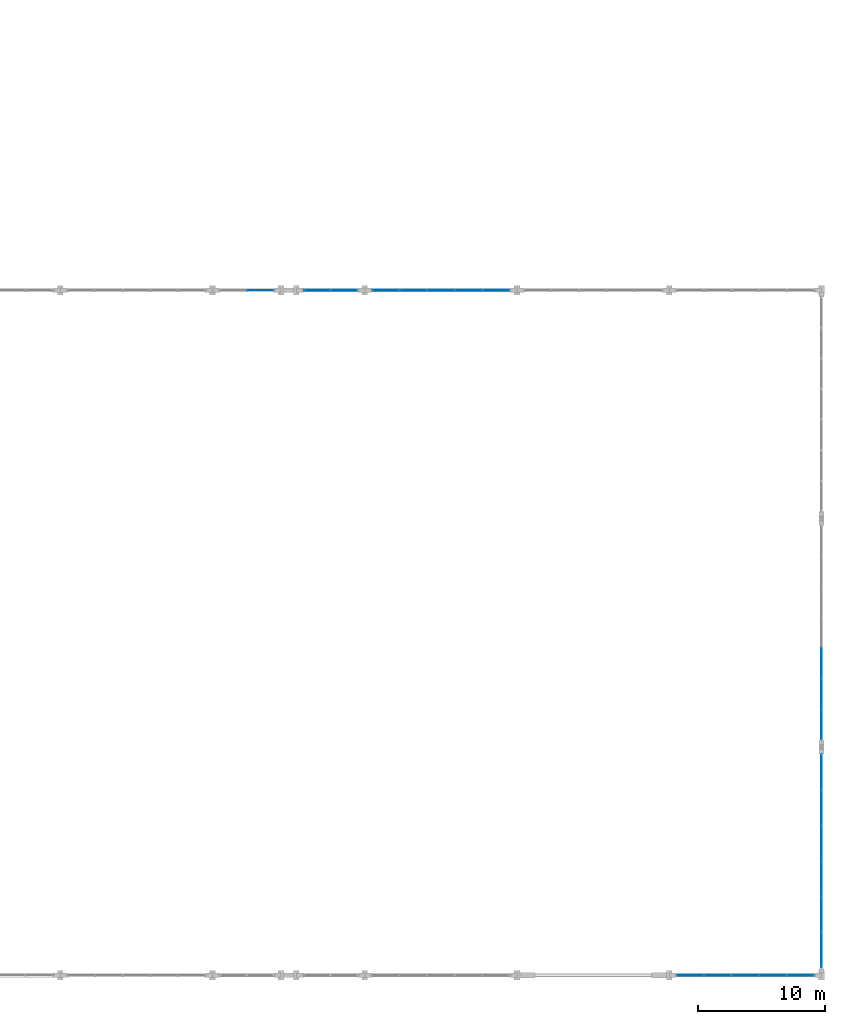
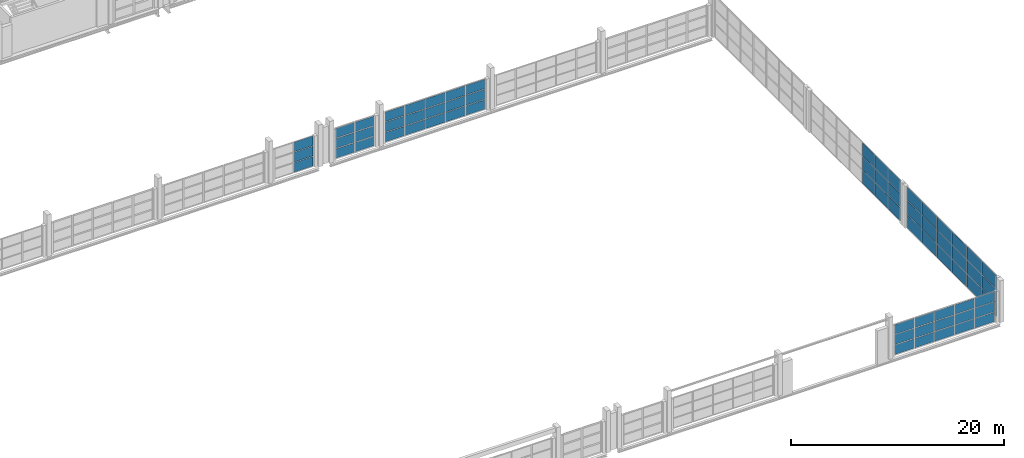
# One storey, part 125 of 147: 66 plates, 6 elements without a shape of their own.
"""IFC4 building model written with IfcOpenShell, lengths in metres."""

from ifc_helpers import new_model, si_unit, direction, frame, origin, origin_2d, place, context, subcontext, project, spatial, rectangle, extrude, material, layer, layer_set, type_object, element, aggregate, save


model = new_model("IFC4")

# Units and contexts
model_context = context("Model", 3, precision=1e-05, world=origin(), true_north=direction((0.0, 1.0)))
body_context = subcontext(model_context, "Body", "Model", "MODEL_VIEW")
ifc_project = project(units=[si_unit("LENGTHUNIT", "METRE"), si_unit("AREAUNIT", "SQUARE_METRE"), si_unit("VOLUMEUNIT", "CUBIC_METRE"), si_unit("PLANEANGLEUNIT", "RADIAN"), si_unit("MASSUNIT", "GRAM", prefix="KILO")], contexts=[model_context])

# Site, building, storey
site_placement = place(None, origin())
site = spatial("IfcSite", under=ifc_project, at=site_placement, CompositionType="ELEMENT")
building_placement = place(site_placement, origin())
building = spatial("IfcBuilding", under=site, at=building_placement, Name="Zilviju Railside Exhibition Hall", CompositionType="ELEMENT")
storey_placement = place(building_placement, frame((0.0, 0.0, 8.39990234375)))
storey = spatial("IfcBuildingStorey", under=building, at=storey_placement, Name="L03", CompositionType="ELEMENT", Elevation=8.39990234375)

# Curtain wall, plates
ifc_material_1 = material(Name="Thermally broken aluminium-steel triple-glazed curtain wall", Category="steel")
ifc_layer_1 = layer(ifc_material_1, 0.179931640625)
ifc_layer_set_1 = layer_set([ifc_layer_1], Name="Thermally broken aluminium-steel triple-glazed curtain wall")
curtain_wall_type_1 = type_object("IfcCurtainWallType", Name="CW-BAY-11", PredefinedType="USERDEFINED", material=ifc_layer_set_1)
curtain_wall_1_placement = place(storey_placement, origin())
curtain_wall_1 = element("IfcCurtainWall", 1, at=curtain_wall_1_placement, inside=storey, type_object=curtain_wall_type_1, Name="South Hall Garden Court Curtain Wall L03 (168..173)", ObjectType="GLAZED CURTAIN WALL", PredefinedType="USERDEFINED")
ifc_material_2 = material(Name="Laminated acoustic double-glazed porch unit", Category="glass")
ifc_layer_2 = layer(ifc_material_2, 0.031982421875)
ifc_layer_set_2 = layer_set([ifc_layer_2], Name="Laminated acoustic double-glazed porch unit")
plate_type_1 = type_object("IfcPlateType", Name="CWP-IGU-32", PredefinedType="CURTAIN_PANEL", material=ifc_layer_set_2)
plate_1_placement = place(storey_placement, frame((171.760009765625, 54.0, 0.06005859375), z_axis=(0.0, 0.0, 1.0), x_axis=(1.0, 0.0, 0.0)))
plate_1 = element("IfcPlate", 2, at=plate_1_placement, type_object=plate_type_1, Name="CW-11 panel 2.1", PredefinedType="CURTAIN_PANEL", context=body_context, shape_type="SweptSolid", body=[
    extrude(rectangle(XDim=2.06005859375, YDim=0.031982421875, at=origin_2d()), origin(), (0.0, 0.0, 1.0), 1.096923828125),
])
plate_2_placement = place(storey_placement, frame((171.760009765625, 54.0, 1.217041015625), z_axis=(0.0, 0.0, 1.0), x_axis=(1.0, 0.0, 0.0)))
plate_2 = element("IfcPlate", 3, at=plate_2_placement, type_object=plate_type_1, Name="CW-11 panel 2.2", PredefinedType="CURTAIN_PANEL", context=body_context, shape_type="SweptSolid", body=[
    extrude(rectangle(XDim=2.06005859375, YDim=0.031982421875, at=origin_2d()), origin(), (0.0, 0.0, 1.0), 1.1259765625),
])
plate_3_placement = place(storey_placement, frame((171.760009765625, 54.0, 2.4033203125), z_axis=(0.0, 0.0, 1.0), x_axis=(1.0, 0.0, 0.0)))
plate_3 = element("IfcPlate", 4, at=plate_3_placement, type_object=plate_type_1, Name="CW-11 panel 2.3", PredefinedType="CURTAIN_PANEL", context=body_context, shape_type="SweptSolid", body=[
    extrude(rectangle(XDim=2.06005859375, YDim=0.031982421875, at=origin_2d()), origin(), (0.0, 0.0, 1.0), 1.096923828125),
])
aggregate(curtain_wall_1, [plate_1, plate_2, plate_3])

ifc_layer_3 = layer(ifc_material_1, 0.179931640625)
ifc_layer_set_3 = layer_set([ifc_layer_3], Name="Thermally broken aluminium-steel triple-glazed curtain wall")
curtain_wall_type_2 = type_object("IfcCurtainWallType", Name="CW-BAY-17", PredefinedType="USERDEFINED", material=ifc_layer_set_3)
curtain_wall_2_placement = place(storey_placement, origin())
curtain_wall_2 = element("IfcCurtainWall", 5, at=curtain_wall_2_placement, inside=storey, type_object=curtain_wall_type_2, Name="South Hall East Glazed Gable L03 (18..36)", ObjectType="GLAZED CURTAIN WALL", PredefinedType="USERDEFINED")
plate_4_placement = place(storey_placement, frame((216.0, 24.585693359375, 0.06005859375), z_axis=(0.0, 0.0, 1.0), x_axis=(0.0, -1.0, 0.0)))
plate_4 = element("IfcPlate", 6, at=plate_4_placement, type_object=plate_type_1, Name="CW-17 panel 5.1", PredefinedType="CURTAIN_PANEL", context=body_context, shape_type="SweptSolid", body=[
    extrude(rectangle(XDim=2.354248046875, YDim=0.031982421875, at=origin_2d()), origin(), (0.0, 0.0, 1.0), 1.510009765625),
])
plate_5_placement = place(storey_placement, frame((216.0, 24.585693359375, 1.630126953125), z_axis=(0.0, 0.0, 1.0), x_axis=(0.0, -1.0, 0.0)))
plate_5 = element("IfcPlate", 7, at=plate_5_placement, type_object=plate_type_1, Name="CW-17 panel 5.2", PredefinedType="CURTAIN_PANEL", context=body_context, shape_type="SweptSolid", body=[
    extrude(rectangle(XDim=2.354248046875, YDim=0.031982421875, at=origin_2d()), origin(), (0.0, 0.0, 1.0), 1.5400390625),
])
plate_6_placement = place(storey_placement, frame((216.0, 24.585693359375, 3.22998046875), z_axis=(0.0, 0.0, 1.0), x_axis=(0.0, -1.0, 0.0)))
plate_6 = element("IfcPlate", 8, at=plate_6_placement, type_object=plate_type_1, Name="CW-17 panel 5.3", PredefinedType="CURTAIN_PANEL", context=body_context, shape_type="SweptSolid", body=[
    extrude(rectangle(XDim=2.354248046875, YDim=0.031982421875, at=origin_2d()), origin(), (0.0, 0.0, 1.0), 1.510009765625),
])
plate_7_placement = place(storey_placement, frame((216.0, 22.17138671875, 0.06005859375), z_axis=(0.0, 0.0, 1.0), x_axis=(0.0, -1.0, 0.0)))
plate_7 = element("IfcPlate", 9, at=plate_7_placement, type_object=plate_type_1, Name="CW-17 panel 6.1", PredefinedType="CURTAIN_PANEL", context=body_context, shape_type="SweptSolid", body=[
    extrude(rectangle(XDim=2.354248046875, YDim=0.031982421875, at=origin_2d()), origin(), (0.0, 0.0, 1.0), 1.510009765625),
])
plate_8_placement = place(storey_placement, frame((216.0, 22.17138671875, 1.630126953125), z_axis=(0.0, 0.0, 1.0), x_axis=(0.0, -1.0, 0.0)))
plate_8 = element("IfcPlate", 10, at=plate_8_placement, type_object=plate_type_1, Name="CW-17 panel 6.2", PredefinedType="CURTAIN_PANEL", context=body_context, shape_type="SweptSolid", body=[
    extrude(rectangle(XDim=2.354248046875, YDim=0.031982421875, at=origin_2d()), origin(), (0.0, 0.0, 1.0), 1.5400390625),
])
plate_9_placement = place(storey_placement, frame((216.0, 22.17138671875, 3.22998046875), z_axis=(0.0, 0.0, 1.0), x_axis=(0.0, -1.0, 0.0)))
plate_9 = element("IfcPlate", 11, at=plate_9_placement, type_object=plate_type_1, Name="CW-17 panel 6.3", PredefinedType="CURTAIN_PANEL", context=body_context, shape_type="SweptSolid", body=[
    extrude(rectangle(XDim=2.354248046875, YDim=0.031982421875, at=origin_2d()), origin(), (0.0, 0.0, 1.0), 1.510009765625),
])
plate_10_placement = place(storey_placement, frame((216.0, 19.772216796875, 0.06005859375), z_axis=(0.0, 0.0, 1.0), x_axis=(0.0, -1.0, 0.0)))
plate_10 = element("IfcPlate", 12, at=plate_10_placement, type_object=plate_type_1, Name="CW-17 panel 7.1", PredefinedType="CURTAIN_PANEL", context=body_context, shape_type="SweptSolid", body=[
    extrude(rectangle(XDim=2.32421875, YDim=0.031982421875, at=origin_2d()), origin(), (0.0, 0.0, 1.0), 1.510009765625),
])
plate_11_placement = place(storey_placement, frame((216.0, 19.772216796875, 1.630126953125), z_axis=(0.0, 0.0, 1.0), x_axis=(0.0, -1.0, 0.0)))
plate_11 = element("IfcPlate", 13, at=plate_11_placement, type_object=plate_type_1, Name="CW-17 panel 7.2", PredefinedType="CURTAIN_PANEL", context=body_context, shape_type="SweptSolid", body=[
    extrude(rectangle(XDim=2.32421875, YDim=0.031982421875, at=origin_2d()), origin(), (0.0, 0.0, 1.0), 1.5400390625),
])
plate_12_placement = place(storey_placement, frame((216.0, 19.772216796875, 3.22998046875), z_axis=(0.0, 0.0, 1.0), x_axis=(0.0, -1.0, 0.0)))
plate_12 = element("IfcPlate", 14, at=plate_12_placement, type_object=plate_type_1, Name="CW-17 panel 7.3", PredefinedType="CURTAIN_PANEL", context=body_context, shape_type="SweptSolid", body=[
    extrude(rectangle(XDim=2.32421875, YDim=0.031982421875, at=origin_2d()), origin(), (0.0, 0.0, 1.0), 1.510009765625),
])
aggregate(curtain_wall_2, [plate_4, plate_5, plate_6, plate_7, plate_8, plate_9, plate_10, plate_11, plate_12])

ifc_layer_4 = layer(ifc_material_1, 0.179931640625)
ifc_layer_set_4 = layer_set([ifc_layer_4], Name="Thermally broken aluminium-steel triple-glazed curtain wall")
curtain_wall_type_3 = type_object("IfcCurtainWallType", Name="CW-BAY-16", PredefinedType="USERDEFINED", material=ifc_layer_set_4)
curtain_wall_3_placement = place(storey_placement, origin())
curtain_wall_3 = element("IfcCurtainWall", 15, at=curtain_wall_3_placement, inside=storey, type_object=curtain_wall_type_3, Name="South Hall East Glazed Gable L03 (0..18)", ObjectType="GLAZED CURTAIN WALL", PredefinedType="USERDEFINED")
ifc_material_3 = material(Name="Triple-glazed solar-control glass unit", Category="glass")
ifc_layer_5 = layer(ifc_material_3, 0.0380859375)
ifc_layer_set_5 = layer_set([ifc_layer_5], Name="Triple-glazed solar-control glass unit")
plate_type_2 = type_object("IfcPlateType", Name="CWP-IGU-38", PredefinedType="CURTAIN_PANEL", material=ifc_layer_set_5)
plate_13_placement = place(storey_placement, frame((216.0, 16.025390625, 0.065185546875), z_axis=(0.0, 0.0, 1.0), x_axis=(0.0, -1.0, 0.0)))
plate_13 = element("IfcPlate", 16, at=plate_13_placement, type_object=plate_type_2, Name="CW-16 panel 1.1", PredefinedType="CURTAIN_PANEL", context=body_context, shape_type="SweptSolid", body=[
    extrude(rectangle(XDim=2.71923828125, YDim=0.0380859375, at=origin_2d()), origin(), (0.0, 0.0, 1.0), 1.50244140625),
])
plate_14_placement = place(storey_placement, frame((216.0, 16.025390625, 1.6328125), z_axis=(0.0, 0.0, 1.0), x_axis=(0.0, -1.0, 0.0)))
plate_14 = element("IfcPlate", 17, at=plate_14_placement, type_object=plate_type_2, Name="CW-16 panel 1.2", PredefinedType="CURTAIN_PANEL", context=body_context, shape_type="SweptSolid", body=[
    extrude(rectangle(XDim=2.71923828125, YDim=0.0380859375, at=origin_2d()), origin(), (0.0, 0.0, 1.0), 1.534912109375),
])
plate_15_placement = place(storey_placement, frame((216.0, 16.025390625, 3.232666015625), z_axis=(0.0, 0.0, 1.0), x_axis=(0.0, -1.0, 0.0)))
plate_15 = element("IfcPlate", 18, at=plate_15_placement, type_object=plate_type_2, Name="CW-16 panel 1.3", PredefinedType="CURTAIN_PANEL", context=body_context, shape_type="SweptSolid", body=[
    extrude(rectangle(XDim=2.71923828125, YDim=0.0380859375, at=origin_2d()), origin(), (0.0, 0.0, 1.0), 1.50244140625),
])
plate_16_placement = place(storey_placement, frame((216.0, 13.22509765625, 0.065185546875), z_axis=(0.0, 0.0, 1.0), x_axis=(0.0, -1.0, 0.0)))
plate_16 = element("IfcPlate", 19, at=plate_16_placement, type_object=plate_type_2, Name="CW-16 panel 2.1", PredefinedType="CURTAIN_PANEL", context=body_context, shape_type="SweptSolid", body=[
    extrude(rectangle(XDim=2.751708984375, YDim=0.0380859375, at=origin_2d()), origin(), (0.0, 0.0, 1.0), 1.50244140625),
])
plate_17_placement = place(storey_placement, frame((216.0, 13.22509765625, 1.6328125), z_axis=(0.0, 0.0, 1.0), x_axis=(0.0, -1.0, 0.0)))
plate_17 = element("IfcPlate", 20, at=plate_17_placement, type_object=plate_type_2, Name="CW-16 panel 2.2", PredefinedType="CURTAIN_PANEL", context=body_context, shape_type="SweptSolid", body=[
    extrude(rectangle(XDim=2.751708984375, YDim=0.0380859375, at=origin_2d()), origin(), (0.0, 0.0, 1.0), 1.534912109375),
])
plate_18_placement = place(storey_placement, frame((216.0, 13.22509765625, 3.232666015625), z_axis=(0.0, 0.0, 1.0), x_axis=(0.0, -1.0, 0.0)))
plate_18 = element("IfcPlate", 21, at=plate_18_placement, type_object=plate_type_2, Name="CW-16 panel 2.3", PredefinedType="CURTAIN_PANEL", context=body_context, shape_type="SweptSolid", body=[
    extrude(rectangle(XDim=2.751708984375, YDim=0.0380859375, at=origin_2d()), origin(), (0.0, 0.0, 1.0), 1.50244140625),
])
plate_19_placement = place(storey_placement, frame((216.0, 10.408447265625, 0.065185546875), z_axis=(0.0, 0.0, 1.0), x_axis=(0.0, -1.0, 0.0)))
plate_19 = element("IfcPlate", 22, at=plate_19_placement, type_object=plate_type_2, Name="CW-16 panel 3.1", PredefinedType="CURTAIN_PANEL", context=body_context, shape_type="SweptSolid", body=[
    extrude(rectangle(XDim=2.751708984375, YDim=0.0380859375, at=origin_2d()), origin(), (0.0, 0.0, 1.0), 1.50244140625),
])
plate_20_placement = place(storey_placement, frame((216.0, 10.408447265625, 1.6328125), z_axis=(0.0, 0.0, 1.0), x_axis=(0.0, -1.0, 0.0)))
plate_20 = element("IfcPlate", 23, at=plate_20_placement, type_object=plate_type_2, Name="CW-16 panel 3.2", PredefinedType="CURTAIN_PANEL", context=body_context, shape_type="SweptSolid", body=[
    extrude(rectangle(XDim=2.751708984375, YDim=0.0380859375, at=origin_2d()), origin(), (0.0, 0.0, 1.0), 1.534912109375),
])
plate_21_placement = place(storey_placement, frame((216.0, 10.408447265625, 3.232666015625), z_axis=(0.0, 0.0, 1.0), x_axis=(0.0, -1.0, 0.0)))
plate_21 = element("IfcPlate", 24, at=plate_21_placement, type_object=plate_type_2, Name="CW-16 panel 3.3", PredefinedType="CURTAIN_PANEL", context=body_context, shape_type="SweptSolid", body=[
    extrude(rectangle(XDim=2.751708984375, YDim=0.0380859375, at=origin_2d()), origin(), (0.0, 0.0, 1.0), 1.50244140625),
])
plate_22_placement = place(storey_placement, frame((216.0, 7.591552734375, 0.065185546875), z_axis=(0.0, 0.0, 1.0), x_axis=(0.0, -1.0, 0.0)))
plate_22 = element("IfcPlate", 25, at=plate_22_placement, type_object=plate_type_2, Name="CW-16 panel 4.1", PredefinedType="CURTAIN_PANEL", context=body_context, shape_type="SweptSolid", body=[
    extrude(rectangle(XDim=2.751708984375, YDim=0.0380859375, at=origin_2d()), origin(), (0.0, 0.0, 1.0), 1.50244140625),
])
plate_23_placement = place(storey_placement, frame((216.0, 7.591552734375, 1.6328125), z_axis=(0.0, 0.0, 1.0), x_axis=(0.0, -1.0, 0.0)))
plate_23 = element("IfcPlate", 26, at=plate_23_placement, type_object=plate_type_2, Name="CW-16 panel 4.2", PredefinedType="CURTAIN_PANEL", context=body_context, shape_type="SweptSolid", body=[
    extrude(rectangle(XDim=2.751708984375, YDim=0.0380859375, at=origin_2d()), origin(), (0.0, 0.0, 1.0), 1.534912109375),
])
plate_24_placement = place(storey_placement, frame((216.0, 7.591552734375, 3.232666015625), z_axis=(0.0, 0.0, 1.0), x_axis=(0.0, -1.0, 0.0)))
plate_24 = element("IfcPlate", 27, at=plate_24_placement, type_object=plate_type_2, Name="CW-16 panel 4.3", PredefinedType="CURTAIN_PANEL", context=body_context, shape_type="SweptSolid", body=[
    extrude(rectangle(XDim=2.751708984375, YDim=0.0380859375, at=origin_2d()), origin(), (0.0, 0.0, 1.0), 1.50244140625),
])
plate_25_placement = place(storey_placement, frame((216.0, 4.77490234375, 0.065185546875), z_axis=(0.0, 0.0, 1.0), x_axis=(0.0, -1.0, 0.0)))
plate_25 = element("IfcPlate", 28, at=plate_25_placement, type_object=plate_type_2, Name="CW-16 panel 5.1", PredefinedType="CURTAIN_PANEL", context=body_context, shape_type="SweptSolid", body=[
    extrude(rectangle(XDim=2.751708984375, YDim=0.0380859375, at=origin_2d()), origin(), (0.0, 0.0, 1.0), 1.50244140625),
])
plate_26_placement = place(storey_placement, frame((216.0, 4.77490234375, 1.6328125), z_axis=(0.0, 0.0, 1.0), x_axis=(0.0, -1.0, 0.0)))
plate_26 = element("IfcPlate", 29, at=plate_26_placement, type_object=plate_type_2, Name="CW-16 panel 5.2", PredefinedType="CURTAIN_PANEL", context=body_context, shape_type="SweptSolid", body=[
    extrude(rectangle(XDim=2.751708984375, YDim=0.0380859375, at=origin_2d()), origin(), (0.0, 0.0, 1.0), 1.534912109375),
])
plate_27_placement = place(storey_placement, frame((216.0, 4.77490234375, 3.232666015625), z_axis=(0.0, 0.0, 1.0), x_axis=(0.0, -1.0, 0.0)))
plate_27 = element("IfcPlate", 30, at=plate_27_placement, type_object=plate_type_2, Name="CW-16 panel 5.3", PredefinedType="CURTAIN_PANEL", context=body_context, shape_type="SweptSolid", body=[
    extrude(rectangle(XDim=2.751708984375, YDim=0.0380859375, at=origin_2d()), origin(), (0.0, 0.0, 1.0), 1.50244140625),
])
plate_28_placement = place(storey_placement, frame((216.0, 1.974609375, 0.065185546875), z_axis=(0.0, 0.0, 1.0), x_axis=(0.0, -1.0, 0.0)))
plate_28 = element("IfcPlate", 31, at=plate_28_placement, type_object=plate_type_2, Name="CW-16 panel 6.1", PredefinedType="CURTAIN_PANEL", context=body_context, shape_type="SweptSolid", body=[
    extrude(rectangle(XDim=2.71923828125, YDim=0.0380859375, at=origin_2d()), origin(), (0.0, 0.0, 1.0), 1.50244140625),
])
plate_29_placement = place(storey_placement, frame((216.0, 1.974609375, 1.6328125), z_axis=(0.0, 0.0, 1.0), x_axis=(0.0, -1.0, 0.0)))
plate_29 = element("IfcPlate", 32, at=plate_29_placement, type_object=plate_type_2, Name="CW-16 panel 6.2", PredefinedType="CURTAIN_PANEL", context=body_context, shape_type="SweptSolid", body=[
    extrude(rectangle(XDim=2.71923828125, YDim=0.0380859375, at=origin_2d()), origin(), (0.0, 0.0, 1.0), 1.534912109375),
])
plate_30_placement = place(storey_placement, frame((216.0, 1.974609375, 3.232666015625), z_axis=(0.0, 0.0, 1.0), x_axis=(0.0, -1.0, 0.0)))
plate_30 = element("IfcPlate", 33, at=plate_30_placement, type_object=plate_type_2, Name="CW-16 panel 6.3", PredefinedType="CURTAIN_PANEL", context=body_context, shape_type="SweptSolid", body=[
    extrude(rectangle(XDim=2.71923828125, YDim=0.0380859375, at=origin_2d()), origin(), (0.0, 0.0, 1.0), 1.50244140625),
])
aggregate(curtain_wall_3, [plate_13, plate_14, plate_15, plate_16, plate_17, plate_18, plate_19, plate_20, plate_21, plate_22, plate_23, plate_24, plate_25, plate_26, plate_27, plate_28, plate_29, plate_30])

ifc_layer_6 = layer(ifc_material_1, 0.179931640625)
ifc_layer_set_6 = layer_set([ifc_layer_6], Name="Thermally broken aluminium-steel triple-glazed curtain wall")
curtain_wall_type_4 = type_object("IfcCurtainWallType", Name="CW-BAY-03", PredefinedType="USERDEFINED", material=ifc_layer_set_6)
curtain_wall_4_placement = place(storey_placement, origin())
curtain_wall_4 = element("IfcCurtainWall", 34, at=curtain_wall_4_placement, inside=storey, type_object=curtain_wall_type_4, Name="South Hall Facade Curtain Wall L03 (204..216)", ObjectType="GLAZED CURTAIN WALL", PredefinedType="USERDEFINED")
ifc_material_4 = material(Name="Triple-glazed low-E argon insulating glass unit", Category="glass")
ifc_layer_7 = layer(ifc_material_4, 0.0439453125)
ifc_layer_set_7 = layer_set([ifc_layer_7], Name="Triple-glazed low-E argon insulating glass unit")
plate_type_3 = type_object("IfcPlateType", Name="CWP-IGU-44", PredefinedType="CURTAIN_PANEL", material=ifc_layer_set_7)
plate_31_placement = place(storey_placement, frame((214.342529296875, 0.0, 0.070068359375), z_axis=(0.0, 0.0, 1.0), x_axis=(-1.0, 0.0, 0.0)))
plate_31 = element("IfcPlate", 35, at=plate_31_placement, type_object=plate_type_3, Name="CW-03 panel 1.1", PredefinedType="CURTAIN_PANEL", context=body_context, shape_type="SweptSolid", body=[
    extrude(rectangle(XDim=2.074951171875, YDim=0.0439453125, at=origin_2d()), origin(), (0.0, 0.0, 1.0), 1.08203125),
])
plate_32_placement = place(storey_placement, frame((214.342529296875, 0.0, 1.22216796875), z_axis=(0.0, 0.0, 1.0), x_axis=(-1.0, 0.0, 0.0)))
plate_32 = element("IfcPlate", 36, at=plate_32_placement, type_object=plate_type_3, Name="CW-03 panel 1.2", PredefinedType="CURTAIN_PANEL", context=body_context, shape_type="SweptSolid", body=[
    extrude(rectangle(XDim=2.074951171875, YDim=0.0439453125, at=origin_2d()), origin(), (0.0, 0.0, 1.0), 1.115966796875),
])
plate_33_placement = place(storey_placement, frame((214.342529296875, 0.0, 2.408203125), z_axis=(0.0, 0.0, 1.0), x_axis=(-1.0, 0.0, 0.0)))
plate_33 = element("IfcPlate", 37, at=plate_33_placement, type_object=plate_type_3, Name="CW-03 panel 1.3", PredefinedType="CURTAIN_PANEL", context=body_context, shape_type="SweptSolid", body=[
    extrude(rectangle(XDim=2.074951171875, YDim=0.0439453125, at=origin_2d()), origin(), (0.0, 0.0, 1.0), 1.08203125),
])
plate_34_placement = place(storey_placement, frame((212.179931640625, 0.0, 0.070068359375), z_axis=(0.0, 0.0, 1.0), x_axis=(-1.0, 0.0, 0.0)))
plate_34 = element("IfcPlate", 38, at=plate_34_placement, type_object=plate_type_3, Name="CW-03 panel 2.1", PredefinedType="CURTAIN_PANEL", context=body_context, shape_type="SweptSolid", body=[
    extrude(rectangle(XDim=2.110107421875, YDim=0.0439453125, at=origin_2d()), origin(), (0.0, 0.0, 1.0), 1.08203125),
])
plate_35_placement = place(storey_placement, frame((212.179931640625, 0.0, 1.22216796875), z_axis=(0.0, 0.0, 1.0), x_axis=(-1.0, 0.0, 0.0)))
plate_35 = element("IfcPlate", 39, at=plate_35_placement, type_object=plate_type_3, Name="CW-03 panel 2.2", PredefinedType="CURTAIN_PANEL", context=body_context, shape_type="SweptSolid", body=[
    extrude(rectangle(XDim=2.110107421875, YDim=0.0439453125, at=origin_2d()), origin(), (0.0, 0.0, 1.0), 1.115966796875),
])
plate_36_placement = place(storey_placement, frame((212.179931640625, 0.0, 2.408203125), z_axis=(0.0, 0.0, 1.0), x_axis=(-1.0, 0.0, 0.0)))
plate_36 = element("IfcPlate", 40, at=plate_36_placement, type_object=plate_type_3, Name="CW-03 panel 2.3", PredefinedType="CURTAIN_PANEL", context=body_context, shape_type="SweptSolid", body=[
    extrude(rectangle(XDim=2.110107421875, YDim=0.0439453125, at=origin_2d()), origin(), (0.0, 0.0, 1.0), 1.08203125),
])
plate_37_placement = place(storey_placement, frame((210.0, 0.0, 0.070068359375), z_axis=(0.0, 0.0, 1.0), x_axis=(-1.0, 0.0, 0.0)))
plate_37 = element("IfcPlate", 41, at=plate_37_placement, type_object=plate_type_3, Name="CW-03 panel 3.1", PredefinedType="CURTAIN_PANEL", context=body_context, shape_type="SweptSolid", body=[
    extrude(rectangle(XDim=2.110107421875, YDim=0.0439453125, at=origin_2d()), origin(), (0.0, 0.0, 1.0), 1.08203125),
])
plate_38_placement = place(storey_placement, frame((210.0, 0.0, 1.22216796875), z_axis=(0.0, 0.0, 1.0), x_axis=(-1.0, 0.0, 0.0)))
plate_38 = element("IfcPlate", 42, at=plate_38_placement, type_object=plate_type_3, Name="CW-03 panel 3.2", PredefinedType="CURTAIN_PANEL", context=body_context, shape_type="SweptSolid", body=[
    extrude(rectangle(XDim=2.110107421875, YDim=0.0439453125, at=origin_2d()), origin(), (0.0, 0.0, 1.0), 1.115966796875),
])
plate_39_placement = place(storey_placement, frame((210.0, 0.0, 2.408203125), z_axis=(0.0, 0.0, 1.0), x_axis=(-1.0, 0.0, 0.0)))
plate_39 = element("IfcPlate", 43, at=plate_39_placement, type_object=plate_type_3, Name="CW-03 panel 3.3", PredefinedType="CURTAIN_PANEL", context=body_context, shape_type="SweptSolid", body=[
    extrude(rectangle(XDim=2.110107421875, YDim=0.0439453125, at=origin_2d()), origin(), (0.0, 0.0, 1.0), 1.08203125),
])
plate_40_placement = place(storey_placement, frame((207.820068359375, 0.0, 0.070068359375), z_axis=(0.0, 0.0, 1.0), x_axis=(-1.0, 0.0, 0.0)))
plate_40 = element("IfcPlate", 44, at=plate_40_placement, type_object=plate_type_3, Name="CW-03 panel 4.1", PredefinedType="CURTAIN_PANEL", context=body_context, shape_type="SweptSolid", body=[
    extrude(rectangle(XDim=2.110107421875, YDim=0.0439453125, at=origin_2d()), origin(), (0.0, 0.0, 1.0), 1.08203125),
])
plate_41_placement = place(storey_placement, frame((207.820068359375, 0.0, 1.22216796875), z_axis=(0.0, 0.0, 1.0), x_axis=(-1.0, 0.0, 0.0)))
plate_41 = element("IfcPlate", 45, at=plate_41_placement, type_object=plate_type_3, Name="CW-03 panel 4.2", PredefinedType="CURTAIN_PANEL", context=body_context, shape_type="SweptSolid", body=[
    extrude(rectangle(XDim=2.110107421875, YDim=0.0439453125, at=origin_2d()), origin(), (0.0, 0.0, 1.0), 1.115966796875),
])
plate_42_placement = place(storey_placement, frame((207.820068359375, 0.0, 2.408203125), z_axis=(0.0, 0.0, 1.0), x_axis=(-1.0, 0.0, 0.0)))
plate_42 = element("IfcPlate", 46, at=plate_42_placement, type_object=plate_type_3, Name="CW-03 panel 4.3", PredefinedType="CURTAIN_PANEL", context=body_context, shape_type="SweptSolid", body=[
    extrude(rectangle(XDim=2.110107421875, YDim=0.0439453125, at=origin_2d()), origin(), (0.0, 0.0, 1.0), 1.08203125),
])
plate_43_placement = place(storey_placement, frame((205.657470703125, 0.0, 0.070068359375), z_axis=(0.0, 0.0, 1.0), x_axis=(-1.0, 0.0, 0.0)))
plate_43 = element("IfcPlate", 47, at=plate_43_placement, type_object=plate_type_3, Name="CW-03 panel 5.1", PredefinedType="CURTAIN_PANEL", context=body_context, shape_type="SweptSolid", body=[
    extrude(rectangle(XDim=2.074951171875, YDim=0.0439453125, at=origin_2d()), origin(), (0.0, 0.0, 1.0), 1.08203125),
])
plate_44_placement = place(storey_placement, frame((205.657470703125, 0.0, 1.22216796875), z_axis=(0.0, 0.0, 1.0), x_axis=(-1.0, 0.0, 0.0)))
plate_44 = element("IfcPlate", 48, at=plate_44_placement, type_object=plate_type_3, Name="CW-03 panel 5.2", PredefinedType="CURTAIN_PANEL", context=body_context, shape_type="SweptSolid", body=[
    extrude(rectangle(XDim=2.074951171875, YDim=0.0439453125, at=origin_2d()), origin(), (0.0, 0.0, 1.0), 1.115966796875),
])
plate_45_placement = place(storey_placement, frame((205.657470703125, 0.0, 2.408203125), z_axis=(0.0, 0.0, 1.0), x_axis=(-1.0, 0.0, 0.0)))
plate_45 = element("IfcPlate", 49, at=plate_45_placement, type_object=plate_type_3, Name="CW-03 panel 5.3", PredefinedType="CURTAIN_PANEL", context=body_context, shape_type="SweptSolid", body=[
    extrude(rectangle(XDim=2.074951171875, YDim=0.0439453125, at=origin_2d()), origin(), (0.0, 0.0, 1.0), 1.08203125),
])
aggregate(curtain_wall_4, [plate_31, plate_32, plate_33, plate_34, plate_35, plate_36, plate_37, plate_38, plate_39, plate_40, plate_41, plate_42, plate_43, plate_44, plate_45])

ifc_layer_8 = layer(ifc_material_1, 0.179931640625)
ifc_layer_set_8 = layer_set([ifc_layer_8], Name="Thermally broken aluminium-steel triple-glazed curtain wall")
curtain_wall_type_5 = type_object("IfcCurtainWallType", Name="CW-BAY-12", PredefinedType="USERDEFINED", material=ifc_layer_set_8)
curtain_wall_5_placement = place(storey_placement, origin())
curtain_wall_5 = element("IfcCurtainWall", 50, at=curtain_wall_5_placement, inside=storey, type_object=curtain_wall_type_5, Name="South Hall Garden Court Curtain Wall L03 (175..180)", ObjectType="GLAZED CURTAIN WALL", PredefinedType="USERDEFINED")
ifc_material_5 = material(Name="Insulated cobalt-blue enamelled spandrel glass panel", Category="glass")
ifc_layer_9 = layer(ifc_material_5, 0.052001953125)
ifc_layer_set_9 = layer_set([ifc_layer_9], Name="Insulated cobalt-blue enamelled spandrel glass panel")
plate_type_4 = type_object("IfcPlateType", Name="CWP-SPD-52", PredefinedType="CURTAIN_PANEL", material=ifc_layer_set_9)
plate_46_placement = place(storey_placement, frame((176.2451171875, 54.0, 0.080078125), z_axis=(0.0, 0.0, 1.0), x_axis=(1.0, 0.0, 0.0)))
plate_46 = element("IfcPlate", 51, at=plate_46_placement, type_object=plate_type_4, Name="CW-12 panel 1.1", PredefinedType="CURTAIN_PANEL", context=body_context, shape_type="SweptSolid", body=[
    extrude(rectangle(XDim=2.030029296875, YDim=0.052001953125, at=origin_2d()), origin(), (0.0, 0.0, 1.0), 1.06689453125),
])
plate_47_placement = place(storey_placement, frame((176.2451171875, 54.0, 1.22705078125), z_axis=(0.0, 0.0, 1.0), x_axis=(1.0, 0.0, 0.0)))
plate_47 = element("IfcPlate", 52, at=plate_47_placement, type_object=plate_type_4, Name="CW-12 panel 1.2", PredefinedType="CURTAIN_PANEL", context=body_context, shape_type="SweptSolid", body=[
    extrude(rectangle(XDim=2.030029296875, YDim=0.052001953125, at=origin_2d()), origin(), (0.0, 0.0, 1.0), 1.10595703125),
])
plate_48_placement = place(storey_placement, frame((176.2451171875, 54.0, 2.4130859375), z_axis=(0.0, 0.0, 1.0), x_axis=(1.0, 0.0, 0.0)))
plate_48 = element("IfcPlate", 53, at=plate_48_placement, type_object=plate_type_4, Name="CW-12 panel 1.3", PredefinedType="CURTAIN_PANEL", context=body_context, shape_type="SweptSolid", body=[
    extrude(rectangle(XDim=2.030029296875, YDim=0.052001953125, at=origin_2d()), origin(), (0.0, 0.0, 1.0), 1.06689453125),
])
plate_49_placement = place(storey_placement, frame((178.35498046875, 54.0, 0.080078125), z_axis=(0.0, 0.0, 1.0), x_axis=(1.0, 0.0, 0.0)))
plate_49 = element("IfcPlate", 54, at=plate_49_placement, type_object=plate_type_4, Name="CW-12 panel 2.1", PredefinedType="CURTAIN_PANEL", context=body_context, shape_type="SweptSolid", body=[
    extrude(rectangle(XDim=2.030029296875, YDim=0.052001953125, at=origin_2d()), origin(), (0.0, 0.0, 1.0), 1.06689453125),
])
plate_50_placement = place(storey_placement, frame((178.35498046875, 54.0, 1.22705078125), z_axis=(0.0, 0.0, 1.0), x_axis=(1.0, 0.0, 0.0)))
plate_50 = element("IfcPlate", 55, at=plate_50_placement, type_object=plate_type_4, Name="CW-12 panel 2.2", PredefinedType="CURTAIN_PANEL", context=body_context, shape_type="SweptSolid", body=[
    extrude(rectangle(XDim=2.030029296875, YDim=0.052001953125, at=origin_2d()), origin(), (0.0, 0.0, 1.0), 1.10595703125),
])
plate_51_placement = place(storey_placement, frame((178.35498046875, 54.0, 2.4130859375), z_axis=(0.0, 0.0, 1.0), x_axis=(1.0, 0.0, 0.0)))
plate_51 = element("IfcPlate", 56, at=plate_51_placement, type_object=plate_type_4, Name="CW-12 panel 2.3", PredefinedType="CURTAIN_PANEL", context=body_context, shape_type="SweptSolid", body=[
    extrude(rectangle(XDim=2.030029296875, YDim=0.052001953125, at=origin_2d()), origin(), (0.0, 0.0, 1.0), 1.06689453125),
])
aggregate(curtain_wall_5, [plate_46, plate_47, plate_48, plate_49, plate_50, plate_51])

ifc_layer_10 = layer(ifc_material_1, 0.179931640625)
ifc_layer_set_10 = layer_set([ifc_layer_10], Name="Thermally broken aluminium-steel triple-glazed curtain wall")
curtain_wall_type_6 = type_object("IfcCurtainWallType", Name="CW-BAY-13", PredefinedType="USERDEFINED", material=ifc_layer_set_10)
curtain_wall_6_placement = place(storey_placement, origin())
curtain_wall_6 = element("IfcCurtainWall", 57, at=curtain_wall_6_placement, inside=storey, type_object=curtain_wall_type_6, Name="South Hall Garden Court Curtain Wall L03 (180..192)", ObjectType="GLAZED CURTAIN WALL", PredefinedType="USERDEFINED")
ifc_material_6 = material(Name="Insulated emerald ceramic-frit spandrel panel", Category="glass")
ifc_layer_11 = layer(ifc_material_6, 0.06396484375)
ifc_layer_set_11 = layer_set([ifc_layer_11], Name="Insulated emerald ceramic-frit spandrel panel")
plate_type_5 = type_object("IfcPlateType", Name="CWP-SPD-64", PredefinedType="CURTAIN_PANEL", material=ifc_layer_set_11)
plate_52_placement = place(storey_placement, frame((181.65869140625, 54.0, 0.0751953125), z_axis=(0.0, 0.0, 1.0), x_axis=(1.0, 0.0, 0.0)))
plate_52 = element("IfcPlate", 58, at=plate_52_placement, type_object=plate_type_5, Name="CW-13 panel 1.1", PredefinedType="CURTAIN_PANEL", context=body_context, shape_type="SweptSolid", body=[
    extrude(rectangle(XDim=2.0673828125, YDim=0.06396484375, at=origin_2d()), origin(), (0.0, 0.0, 1.0), 1.074462890625),
])
plate_53_placement = place(storey_placement, frame((181.65869140625, 54.0, 1.224609375), z_axis=(0.0, 0.0, 1.0), x_axis=(1.0, 0.0, 0.0)))
plate_53 = element("IfcPlate", 59, at=plate_53_placement, type_object=plate_type_5, Name="CW-13 panel 1.2", PredefinedType="CURTAIN_PANEL", context=body_context, shape_type="SweptSolid", body=[
    extrude(rectangle(XDim=2.0673828125, YDim=0.06396484375, at=origin_2d()), origin(), (0.0, 0.0, 1.0), 1.111083984375),
])
plate_54_placement = place(storey_placement, frame((181.65869140625, 54.0, 2.41064453125), z_axis=(0.0, 0.0, 1.0), x_axis=(1.0, 0.0, 0.0)))
plate_54 = element("IfcPlate", 60, at=plate_54_placement, type_object=plate_type_5, Name="CW-13 panel 1.3", PredefinedType="CURTAIN_PANEL", context=body_context, shape_type="SweptSolid", body=[
    extrude(rectangle(XDim=2.0673828125, YDim=0.06396484375, at=origin_2d()), origin(), (0.0, 0.0, 1.0), 1.074462890625),
])
plate_55_placement = place(storey_placement, frame((183.820068359375, 54.0, 0.0751953125), z_axis=(0.0, 0.0, 1.0), x_axis=(1.0, 0.0, 0.0)))
plate_55 = element("IfcPlate", 61, at=plate_55_placement, type_object=plate_type_5, Name="CW-13 panel 2.1", PredefinedType="CURTAIN_PANEL", context=body_context, shape_type="SweptSolid", body=[
    extrude(rectangle(XDim=2.10498046875, YDim=0.06396484375, at=origin_2d()), origin(), (0.0, 0.0, 1.0), 1.074462890625),
])
plate_56_placement = place(storey_placement, frame((183.820068359375, 54.0, 1.224609375), z_axis=(0.0, 0.0, 1.0), x_axis=(1.0, 0.0, 0.0)))
plate_56 = element("IfcPlate", 62, at=plate_56_placement, type_object=plate_type_5, Name="CW-13 panel 2.2", PredefinedType="CURTAIN_PANEL", context=body_context, shape_type="SweptSolid", body=[
    extrude(rectangle(XDim=2.10498046875, YDim=0.06396484375, at=origin_2d()), origin(), (0.0, 0.0, 1.0), 1.111083984375),
])
plate_57_placement = place(storey_placement, frame((183.820068359375, 54.0, 2.41064453125), z_axis=(0.0, 0.0, 1.0), x_axis=(1.0, 0.0, 0.0)))
plate_57 = element("IfcPlate", 63, at=plate_57_placement, type_object=plate_type_5, Name="CW-13 panel 2.3", PredefinedType="CURTAIN_PANEL", context=body_context, shape_type="SweptSolid", body=[
    extrude(rectangle(XDim=2.10498046875, YDim=0.06396484375, at=origin_2d()), origin(), (0.0, 0.0, 1.0), 1.074462890625),
])
plate_58_placement = place(storey_placement, frame((186.0, 54.0, 0.0751953125), z_axis=(0.0, 0.0, 1.0), x_axis=(1.0, 0.0, 0.0)))
plate_58 = element("IfcPlate", 64, at=plate_58_placement, type_object=plate_type_5, Name="CW-13 panel 3.1", PredefinedType="CURTAIN_PANEL", context=body_context, shape_type="SweptSolid", body=[
    extrude(rectangle(XDim=2.10498046875, YDim=0.06396484375, at=origin_2d()), origin(), (0.0, 0.0, 1.0), 1.074462890625),
])
plate_59_placement = place(storey_placement, frame((186.0, 54.0, 1.224609375), z_axis=(0.0, 0.0, 1.0), x_axis=(1.0, 0.0, 0.0)))
plate_59 = element("IfcPlate", 65, at=plate_59_placement, type_object=plate_type_5, Name="CW-13 panel 3.2", PredefinedType="CURTAIN_PANEL", context=body_context, shape_type="SweptSolid", body=[
    extrude(rectangle(XDim=2.10498046875, YDim=0.06396484375, at=origin_2d()), origin(), (0.0, 0.0, 1.0), 1.111083984375),
])
plate_60_placement = place(storey_placement, frame((186.0, 54.0, 2.41064453125), z_axis=(0.0, 0.0, 1.0), x_axis=(1.0, 0.0, 0.0)))
plate_60 = element("IfcPlate", 66, at=plate_60_placement, type_object=plate_type_5, Name="CW-13 panel 3.3", PredefinedType="CURTAIN_PANEL", context=body_context, shape_type="SweptSolid", body=[
    extrude(rectangle(XDim=2.10498046875, YDim=0.06396484375, at=origin_2d()), origin(), (0.0, 0.0, 1.0), 1.074462890625),
])
plate_61_placement = place(storey_placement, frame((188.179931640625, 54.0, 0.0751953125), z_axis=(0.0, 0.0, 1.0), x_axis=(1.0, 0.0, 0.0)))
plate_61 = element("IfcPlate", 67, at=plate_61_placement, type_object=plate_type_5, Name="CW-13 panel 4.1", PredefinedType="CURTAIN_PANEL", context=body_context, shape_type="SweptSolid", body=[
    extrude(rectangle(XDim=2.10498046875, YDim=0.06396484375, at=origin_2d()), origin(), (0.0, 0.0, 1.0), 1.074462890625),
])
plate_62_placement = place(storey_placement, frame((188.179931640625, 54.0, 1.224609375), z_axis=(0.0, 0.0, 1.0), x_axis=(1.0, 0.0, 0.0)))
plate_62 = element("IfcPlate", 68, at=plate_62_placement, type_object=plate_type_5, Name="CW-13 panel 4.2", PredefinedType="CURTAIN_PANEL", context=body_context, shape_type="SweptSolid", body=[
    extrude(rectangle(XDim=2.10498046875, YDim=0.06396484375, at=origin_2d()), origin(), (0.0, 0.0, 1.0), 1.111083984375),
])
plate_63_placement = place(storey_placement, frame((188.179931640625, 54.0, 2.41064453125), z_axis=(0.0, 0.0, 1.0), x_axis=(1.0, 0.0, 0.0)))
plate_63 = element("IfcPlate", 69, at=plate_63_placement, type_object=plate_type_5, Name="CW-13 panel 4.3", PredefinedType="CURTAIN_PANEL", context=body_context, shape_type="SweptSolid", body=[
    extrude(rectangle(XDim=2.10498046875, YDim=0.06396484375, at=origin_2d()), origin(), (0.0, 0.0, 1.0), 1.074462890625),
])
plate_64_placement = place(storey_placement, frame((190.34130859375, 54.0, 0.0751953125), z_axis=(0.0, 0.0, 1.0), x_axis=(1.0, 0.0, 0.0)))
plate_64 = element("IfcPlate", 70, at=plate_64_placement, type_object=plate_type_5, Name="CW-13 panel 5.1", PredefinedType="CURTAIN_PANEL", context=body_context, shape_type="SweptSolid", body=[
    extrude(rectangle(XDim=2.0673828125, YDim=0.06396484375, at=origin_2d()), origin(), (0.0, 0.0, 1.0), 1.074462890625),
])
plate_65_placement = place(storey_placement, frame((190.34130859375, 54.0, 1.224609375), z_axis=(0.0, 0.0, 1.0), x_axis=(1.0, 0.0, 0.0)))
plate_65 = element("IfcPlate", 71, at=plate_65_placement, type_object=plate_type_5, Name="CW-13 panel 5.2", PredefinedType="CURTAIN_PANEL", context=body_context, shape_type="SweptSolid", body=[
    extrude(rectangle(XDim=2.0673828125, YDim=0.06396484375, at=origin_2d()), origin(), (0.0, 0.0, 1.0), 1.111083984375),
])
plate_66_placement = place(storey_placement, frame((190.34130859375, 54.0, 2.41064453125), z_axis=(0.0, 0.0, 1.0), x_axis=(1.0, 0.0, 0.0)))
plate_66 = element("IfcPlate", 72, at=plate_66_placement, type_object=plate_type_5, Name="CW-13 panel 5.3", PredefinedType="CURTAIN_PANEL", context=body_context, shape_type="SweptSolid", body=[
    extrude(rectangle(XDim=2.0673828125, YDim=0.06396484375, at=origin_2d()), origin(), (0.0, 0.0, 1.0), 1.074462890625),
])
aggregate(curtain_wall_6, [plate_52, plate_53, plate_54, plate_55, plate_56, plate_57, plate_58, plate_59, plate_60, plate_61, plate_62, plate_63, plate_64, plate_65, plate_66])

save(model, "model.ifc")
